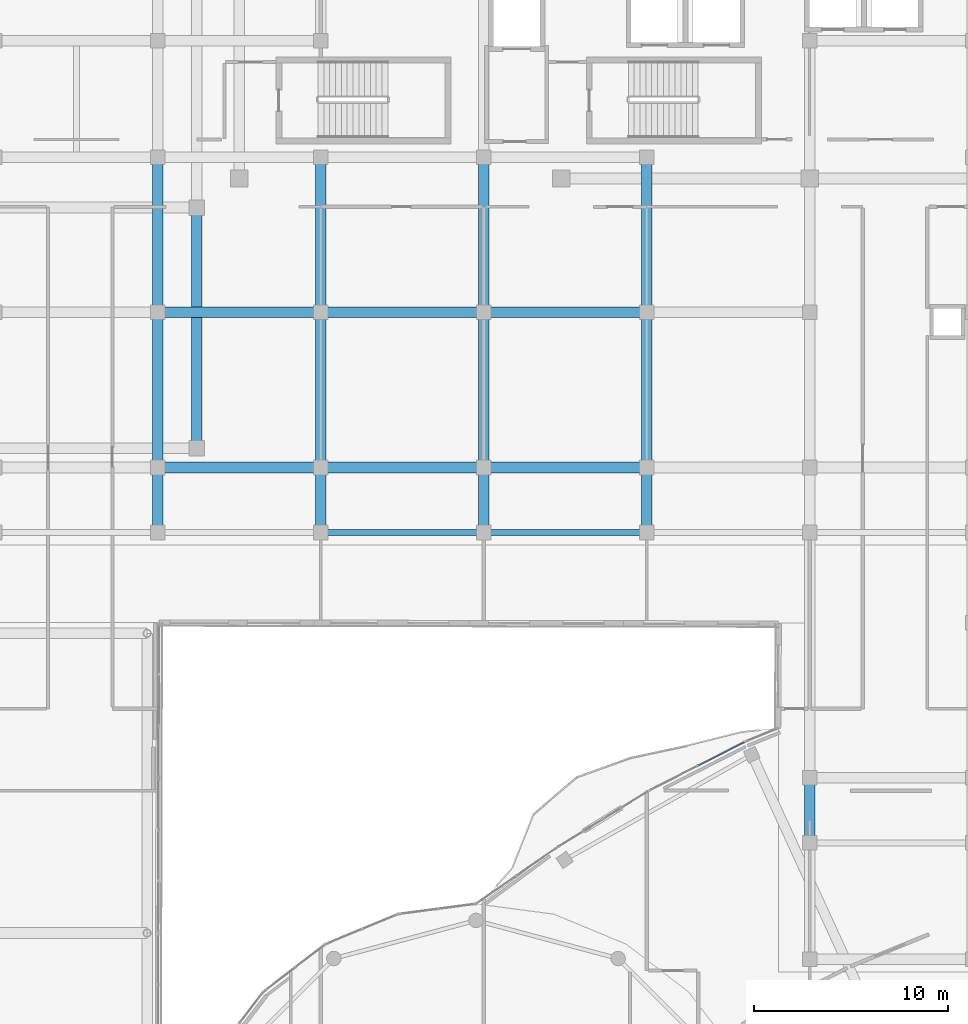
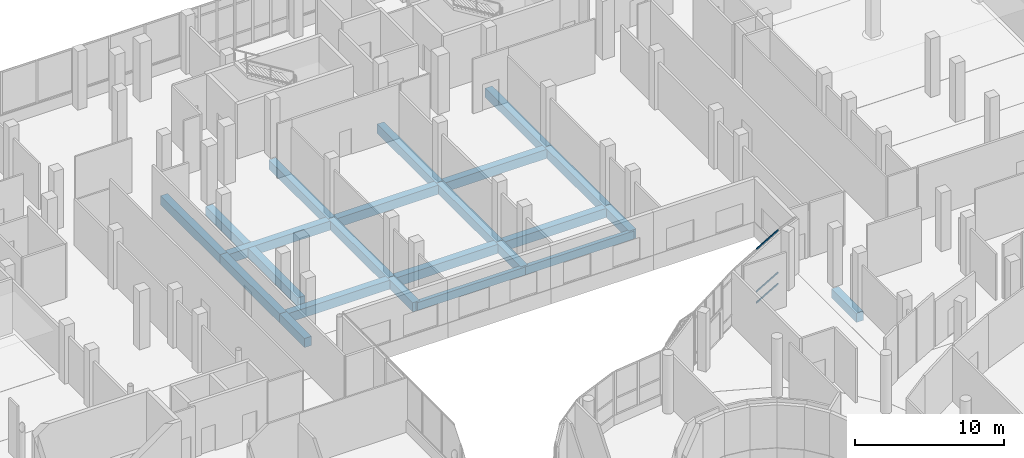
# One storey, part 79 of 155: 22 beams, 3 members, 1 element without a shape of its own.
"""IFC4 building model written with IfcOpenShell, lengths in metres."""

from ifc_helpers import new_model, si_unit, direction, frame, origin, origin_2d, place, context, subcontext, project, spatial, rectangle, hollow_rectangle, extrude, material, material_profile, profile_set, type_object, element, aggregate, save


model = new_model("IFC4")

# Units and contexts
model_context = context("Model", 3, precision=1e-05, world=origin(), true_north=direction((0.0, 1.0)))
body_context = subcontext(model_context, "Body", "Model", "MODEL_VIEW")
ifc_project = project(units=[si_unit("LENGTHUNIT", "METRE"), si_unit("AREAUNIT", "SQUARE_METRE"), si_unit("VOLUMEUNIT", "CUBIC_METRE"), si_unit("PLANEANGLEUNIT", "RADIAN"), si_unit("MASSUNIT", "GRAM", prefix="KILO")], contexts=[model_context])

# Site, building, storey
site_placement = place(None, origin())
site = spatial("IfcSite", under=ifc_project, at=site_placement, CompositionType="ELEMENT")
building_placement = place(site_placement, origin())
building = spatial("IfcBuilding", under=site, at=building_placement, Name="Selatvlak General Hospital", CompositionType="ELEMENT")
storey_placement = place(building_placement, frame((0.0, 0.0, 10.199951171875)))
storey = spatial("IfcBuildingStorey", under=building, at=storey_placement, Name="L02", CompositionType="ELEMENT", Elevation=10.199951171875)

# Beams
ifc_material_1 = material(Name="Concrete C40/50", Category="concrete")
ifc_material_profile_1 = material_profile(ifc_material_1, rectangle(XDim=0.550048828125, YDim=0.75, at=origin_2d()), Name="RC-BM 550x750")
ifc_profile_set_1 = profile_set([ifc_material_profile_1], Name="Concrete C40/50")
beam_type_1 = type_object("IfcBeamType", Name="BM-G02", PredefinedType="BEAM", material=ifc_profile_set_1)
for number, where, z_axis, x_axis, name in (
    (1, (81.60009765625, 92.0, -0.72998046875), (1.0, 0.0, 0.0), (0.0, 1.0, 0.0), "Beam BMR-L02-0843"),
    (2, (90.0, 92.0, -0.72998046875), (1.0, 0.0, 0.0), (0.0, 1.0, 0.0), "Beam BMR-L02-0844"),
):
    element("IfcBeam", number, at=place(storey_placement, frame(where, z_axis=z_axis, x_axis=x_axis)), inside=storey, type_object=beam_type_1, Name=name, PredefinedType="BEAM", context=body_context, shape_type="SweptSolid", body=[
        extrude(rectangle(XDim=0.550048828125, YDim=0.75, at=origin_2d()), origin(), (0.0, 0.0, 1.0), 8.39990234375),
    ])
beam_1_placement = place(storey_placement, frame((98.39990234375, 92.0, -0.72998046875), z_axis=(1.0, 0.0, 0.0), x_axis=(0.0, 1.0, 0.0)))
element("IfcBeam", 3, at=beam_1_placement, inside=storey, type_object=beam_type_1, Name="Beam BMR-L02-0845", PredefinedType="BEAM", context=body_context, shape_type="SweptSolid", body=[
    extrude(rectangle(XDim=0.550048828125, YDim=0.75, at=origin_2d()), origin(), (0.0, 0.0, 1.0), 8.400146484375),
])
for number, where, z_axis, x_axis, name in (
    (4, (81.60009765625, 100.0, -0.72998046875), (1.0, 0.0, 0.0), (0.0, 1.0, 0.0), "Beam BMR-L02-0865"),
    (5, (90.0, 100.0, -0.72998046875), (1.0, 0.0, 0.0), (0.0, 1.0, 0.0), "Beam BMR-L02-0866"),
):
    element("IfcBeam", number, at=place(storey_placement, frame(where, z_axis=z_axis, x_axis=x_axis)), inside=storey, type_object=beam_type_1, Name=name, PredefinedType="BEAM", context=body_context, shape_type="SweptSolid", body=[
        extrude(rectangle(XDim=0.550048828125, YDim=0.75, at=origin_2d()), origin(), (0.0, 0.0, 1.0), 8.39990234375),
    ])
beam_2_placement = place(storey_placement, frame((98.39990234375, 100.0, -0.72998046875), z_axis=(1.0, 0.0, 0.0), x_axis=(0.0, 1.0, 0.0)))
element("IfcBeam", 6, at=beam_2_placement, inside=storey, type_object=beam_type_1, Name="Beam BMR-L02-0867", PredefinedType="BEAM", context=body_context, shape_type="SweptSolid", body=[
    extrude(rectangle(XDim=0.550048828125, YDim=0.75, at=origin_2d()), origin(), (0.0, 0.0, 1.0), 8.400146484375),
])
beam_3_placement = place(storey_placement, frame((81.60009765625, 88.64990234375, -0.72998046875), z_axis=(0.0, 1.0, 0.0), x_axis=(-1.0, 0.0, 0.0)))
element("IfcBeam", 7, at=beam_3_placement, inside=storey, type_object=beam_type_1, Name="Beam BMR-L02-0985", PredefinedType="BEAM", context=body_context, shape_type="SweptSolid", body=[
    extrude(rectangle(XDim=0.550048828125, YDim=0.75, at=origin_2d()), origin(), (0.0, 0.0, 1.0), 3.35009765625),
])
for number, where, z_axis, x_axis, name in (
    (8, (81.60009765625, 92.0, -0.72998046875), (0.0, 1.0, 0.0), (-1.0, 0.0, 0.0), "Beam BMR-L02-0986"),
    (9, (81.60009765625, 100.0, -0.72998046875), (0.0, 1.0, 0.0), (-1.0, 0.0, 0.0), "Beam BMR-L02-0987"),
):
    element("IfcBeam", number, at=place(storey_placement, frame(where, z_axis=z_axis, x_axis=x_axis)), inside=storey, type_object=beam_type_1, Name=name, PredefinedType="BEAM", context=body_context, shape_type="SweptSolid", body=[
        extrude(rectangle(XDim=0.550048828125, YDim=0.75, at=origin_2d()), origin(), (0.0, 0.0, 1.0), 8.0),
    ])
beam_4_placement = place(storey_placement, frame((83.60009765625, 93.0, -0.72998046875), z_axis=(0.0, 1.0, 0.0), x_axis=(-1.0, 0.0, 0.0)))
element("IfcBeam", 10, at=beam_4_placement, inside=storey, type_object=beam_type_1, Name="Beam BMR-L02-0990", PredefinedType="BEAM", context=body_context, shape_type="SweptSolid", body=[
    extrude(rectangle(XDim=0.550048828125, YDim=0.75, at=origin_2d()), origin(), (0.0, 0.0, 1.0), 12.39990234375),
])
beam_5_placement = place(storey_placement, frame((90.0, 88.64990234375, -0.72998046875), z_axis=(0.0, 1.0, 0.0), x_axis=(-1.0, 0.0, 0.0)))
element("IfcBeam", 11, at=beam_5_placement, inside=storey, type_object=beam_type_1, Name="Beam BMR-L02-0993", PredefinedType="BEAM", context=body_context, shape_type="SweptSolid", body=[
    extrude(rectangle(XDim=0.550048828125, YDim=0.75, at=origin_2d()), origin(), (0.0, 0.0, 1.0), 3.35009765625),
])
for number, where, z_axis, x_axis, name in (
    (12, (90.0, 92.0, -0.72998046875), (0.0, 1.0, 0.0), (-1.0, 0.0, 0.0), "Beam BMR-L02-0994"),
    (13, (90.0, 100.0, -0.72998046875), (0.0, 1.0, 0.0), (-1.0, 0.0, 0.0), "Beam BMR-L02-0995"),
):
    element("IfcBeam", number, at=place(storey_placement, frame(where, z_axis=z_axis, x_axis=x_axis)), inside=storey, type_object=beam_type_1, Name=name, PredefinedType="BEAM", context=body_context, shape_type="SweptSolid", body=[
        extrude(rectangle(XDim=0.550048828125, YDim=0.75, at=origin_2d()), origin(), (0.0, 0.0, 1.0), 8.0),
    ])
beam_6_placement = place(storey_placement, frame((98.39990234375, 88.64990234375, -0.72998046875), z_axis=(0.0, 1.0, 0.0), x_axis=(-1.0, 0.0, 0.0)))
element("IfcBeam", 14, at=beam_6_placement, inside=storey, type_object=beam_type_1, Name="Beam BMR-L02-0997", PredefinedType="BEAM", context=body_context, shape_type="SweptSolid", body=[
    extrude(rectangle(XDim=0.550048828125, YDim=0.75, at=origin_2d()), origin(), (0.0, 0.0, 1.0), 3.35009765625),
])
for number, where, z_axis, x_axis, name in (
    (15, (98.39990234375, 92.0, -0.72998046875), (0.0, 1.0, 0.0), (-1.0, 0.0, 0.0), "Beam BMR-L02-0998"),
    (16, (98.39990234375, 100.0, -0.72998046875), (0.0, 1.0, 0.0), (-1.0, 0.0, 0.0), "Beam BMR-L02-0999"),
):
    element("IfcBeam", number, at=place(storey_placement, frame(where, z_axis=z_axis, x_axis=x_axis)), inside=storey, type_object=beam_type_1, Name=name, PredefinedType="BEAM", context=body_context, shape_type="SweptSolid", body=[
        extrude(rectangle(XDim=0.550048828125, YDim=0.75, at=origin_2d()), origin(), (0.0, 0.0, 1.0), 8.0),
    ])
beam_7_placement = place(storey_placement, frame((106.800048828125, 88.64990234375, -0.72998046875), z_axis=(0.0, 1.0, 0.0), x_axis=(-1.0, 0.0, 0.0)))
element("IfcBeam", 17, at=beam_7_placement, inside=storey, type_object=beam_type_1, Name="Beam BMR-L02-1001", PredefinedType="BEAM", context=body_context, shape_type="SweptSolid", body=[
    extrude(rectangle(XDim=0.550048828125, YDim=0.75, at=origin_2d()), origin(), (0.0, 0.0, 1.0), 3.35009765625),
])
for number, where, z_axis, x_axis, name in (
    (18, (106.800048828125, 92.0, -0.72998046875), (0.0, 1.0, 0.0), (-1.0, 0.0, 0.0), "Beam BMR-L02-1002"),
    (19, (106.800048828125, 100.0, -0.72998046875), (0.0, 1.0, 0.0), (-1.0, 0.0, 0.0), "Beam BMR-L02-1003"),
):
    element("IfcBeam", number, at=place(storey_placement, frame(where, z_axis=z_axis, x_axis=x_axis)), inside=storey, type_object=beam_type_1, Name=name, PredefinedType="BEAM", context=body_context, shape_type="SweptSolid", body=[
        extrude(rectangle(XDim=0.550048828125, YDim=0.75, at=origin_2d()), origin(), (0.0, 0.0, 1.0), 8.0),
    ])
beam_8_placement = place(storey_placement, frame((115.199951171875, 72.64990234375, -0.72998046875), z_axis=(0.0, 1.0, 0.0), x_axis=(-1.0, 0.0, 0.0)))
element("IfcBeam", 20, at=beam_8_placement, inside=storey, type_object=beam_type_1, Name="Beam BMR-L02-1005", PredefinedType="BEAM", context=body_context, shape_type="SweptSolid", body=[
    extrude(rectangle(XDim=0.550048828125, YDim=0.75, at=origin_2d()), origin(), (0.0, 0.0, 1.0), 3.35009765625),
])
ifc_material_profile_2 = material_profile(ifc_material_1, rectangle(XDim=0.300048828125, YDim=0.64990234375, at=origin_2d()), Name="RC-SP 300x650")
ifc_profile_set_2 = profile_set([ifc_material_profile_2], Name="Concrete C40/50")
beam_type_2 = type_object("IfcBeamType", Name="BM-SP1", PredefinedType="SPANDREL", material=ifc_profile_set_2)
beam_9_placement = place(storey_placement, frame((90.0, 88.64990234375, -0.679931640625), z_axis=(1.0, 0.0, 0.0), x_axis=(0.0, 1.0, 0.0)))
element("IfcBeam", 21, at=beam_9_placement, inside=storey, type_object=beam_type_2, Name="Beam BMR-L02-0824", PredefinedType="SPANDREL", context=body_context, shape_type="SweptSolid", body=[
    extrude(rectangle(XDim=0.300048828125, YDim=0.64990234375, at=origin_2d()), origin(), (0.0, 0.0, 1.0), 8.39990234375),
])
beam_10_placement = place(storey_placement, frame((98.39990234375, 88.64990234375, -0.679931640625), z_axis=(1.0, 0.0, 0.0), x_axis=(0.0, 1.0, 0.0)))
element("IfcBeam", 22, at=beam_10_placement, inside=storey, type_object=beam_type_2, Name="Beam BMR-L02-0825", PredefinedType="SPANDREL", context=body_context, shape_type="SweptSolid", body=[
    extrude(rectangle(XDim=0.300048828125, YDim=0.64990234375, at=origin_2d()), origin(), (0.0, 0.0, 1.0), 8.400146484375),
])

# Curtain wall, members
ifc_material_2 = material(Name="Solar-control Low-E double glazing", Category="glass")
curtain_wall_type = type_object("IfcCurtainWallType", Name="CW-CW-01", PredefinedType="USERDEFINED", material=ifc_material_2)
curtain_wall_placement = place(storey_placement, origin())
curtain_wall = element("IfcCurtainWall", 23, at=curtain_wall_placement, inside=storey, type_object=curtain_wall_type, Name="Glazed facade curtain wall CW-L02-0355", ObjectType="UNITISED CURTAIN WALL", PredefinedType="USERDEFINED")
ifc_material_3 = material(Name="Dark anodised aluminium mullion", Category="aluminium")
ifc_material_profile_3 = material_profile(ifc_material_3, hollow_rectangle(XDim=0.06494140625, YDim=0.1201171875, WallThickness=0.00390625, at=origin_2d()), Name="AL-TRN 65x120x4")
ifc_profile_set_3 = profile_set([ifc_material_profile_3], Name="Dark anodised aluminium mullion")
member_type = type_object("IfcMemberType", Name="CWT-01", PredefinedType="USERDEFINED", material=ifc_profile_set_3)
member_1_placement = place(storey_placement, frame((109.46435546875, 76.63232421875, 0.032470703125), z_axis=(0.891344322234, 0.453326923115, 0.0), x_axis=(-0.453326923115, 0.891344322234, 0.0)))
member_1 = element("IfcMember", 24, at=member_1_placement, type_object=member_type, Name="CW-01 transom 2.1", ObjectType="TRANSOM", PredefinedType="USERDEFINED", context=body_context, shape_type="SweptSolid", body=[
    extrude(hollow_rectangle(XDim=0.06494140625, YDim=0.1201171875, WallThickness=0.00390625, at=origin_2d()), origin(), (0.0, 0.0, 1.0), 2.6630859375),
])
member_2_placement = place(storey_placement, frame((109.46435546875, 76.63232421875, 0.949951171875), z_axis=(0.891344322234, 0.453326923115, 0.0), x_axis=(-0.453326923115, 0.891344322234, 0.0)))
member_2 = element("IfcMember", 25, at=member_2_placement, type_object=member_type, Name="CW-01 transom 2.2", ObjectType="TRANSOM", PredefinedType="USERDEFINED", context=body_context, shape_type="SweptSolid", body=[
    extrude(hollow_rectangle(XDim=0.06494140625, YDim=0.1201171875, WallThickness=0.00390625, at=origin_2d()), origin(), (0.0, 0.0, 1.0), 2.6630859375),
])
member_3_placement = place(storey_placement, frame((109.46435546875, 76.63232421875, 4.427490234375), z_axis=(0.891344322234, 0.453326923115, 0.0), x_axis=(-0.453326923115, 0.891344322234, 0.0)))
member_3 = element("IfcMember", 26, at=member_3_placement, type_object=member_type, Name="CW-01 transom 2.3", ObjectType="TRANSOM", PredefinedType="USERDEFINED", context=body_context, shape_type="SweptSolid", body=[
    extrude(hollow_rectangle(XDim=0.06494140625, YDim=0.1201171875, WallThickness=0.00390625, at=origin_2d()), origin(), (0.0, 0.0, 1.0), 2.6630859375),
])
aggregate(curtain_wall, [member_1, member_2, member_3])

save(model, "model.ifc")
